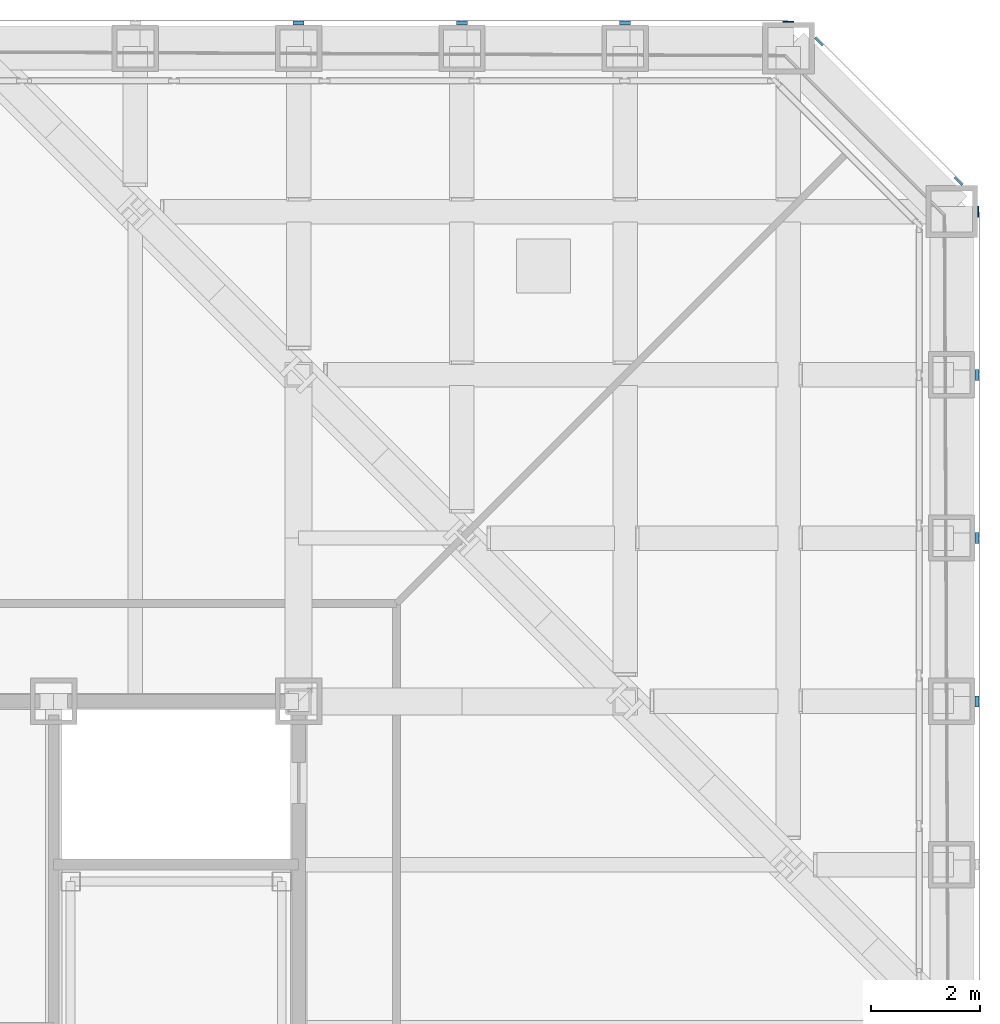
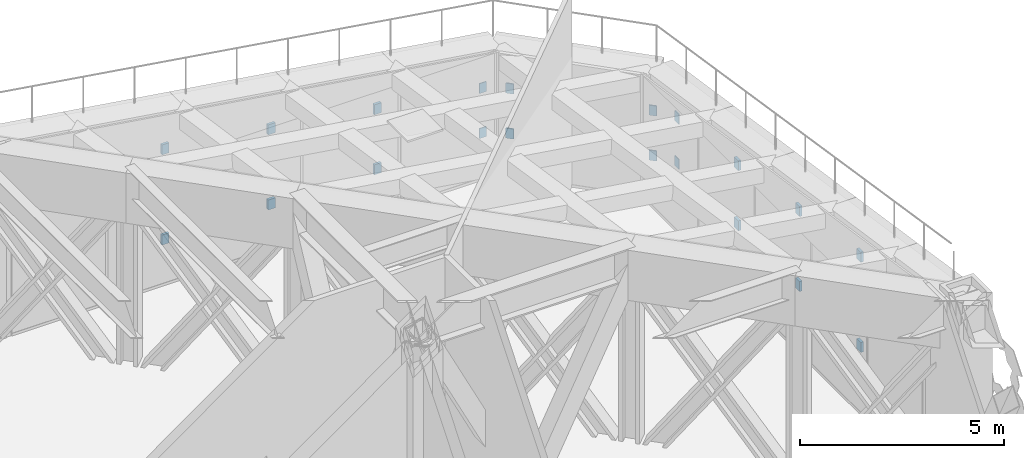
# One storey, part 20 of 31: 20 discrete accessories.
"""IFC4 building model written with IfcOpenShell, lengths in metres."""

from ifc_helpers import new_model, si_unit, direction, frame, origin, origin_2d, place, context, subcontext, project, spatial, rectangle, extrude, material, type_object, element, save


model = new_model("IFC4")

# Units and contexts
model_context = context("Model", 3, precision=1e-05, world=origin(), true_north=direction((0.0, 1.0)))
body_context = subcontext(model_context, "Body", "Model", "MODEL_VIEW")
ifc_project = project(units=[si_unit("LENGTHUNIT", "METRE"), si_unit("AREAUNIT", "SQUARE_METRE"), si_unit("VOLUMEUNIT", "CUBIC_METRE"), si_unit("PLANEANGLEUNIT", "RADIAN"), si_unit("MASSUNIT", "GRAM", prefix="KILO")], contexts=[model_context])

# Site, building, storey
site_placement = place(None, origin())
site = spatial("IfcSite", under=ifc_project, at=site_placement, CompositionType="ELEMENT")
building_placement = place(site_placement, origin())
building = spatial("IfcBuilding", under=site, at=building_placement, Name="Chuquiago Exchange Tower", CompositionType="ELEMENT")
storey_placement = place(building_placement, frame((0.0, 0.0, 96.300048828125)))
storey = spatial("IfcBuildingStorey", under=building, at=storey_placement, Name="L20", CompositionType="ELEMENT", Elevation=96.300048828125)

# Discrete accessories
ifc_material_1 = material(Name="Stainless steel plate bracket", Category="steel")
discrete_accessory_type_1 = type_object("IfcDiscreteAccessoryType", Name="GB4 cladding bracket 75", PredefinedType="BRACKET", material=ifc_material_1)
for number, where, z_axis, x_axis, name in (
    (1, (45.46240234375, 33.0, 0.35009765625), (0.0, 0.0, 1.0), (0.0, 1.0, 0.0), "Cladding bracket L20 E"),
    (2, (45.46240234375, 33.0, 3.04736328125), (0.0, 0.0, 1.0), (0.0, 1.0, 0.0), "Cladding bracket L20 E"),
    (3, (45.46240234375, 36.0, 0.35009765625), (0.0, 0.0, 1.0), (0.0, 1.0, 0.0), "Cladding bracket L20 E"),
    (4, (45.46240234375, 36.0, 2.59619140625), (0.0, 0.0, 1.0), (0.0, 1.0, 0.0), "Cladding bracket L20 E"),
    (5, (45.46240234375, 39.0, 0.35009765625), (0.0, 0.0, 1.0), (0.0, 1.0, 0.0), "Cladding bracket L20 E"),
    (6, (45.46240234375, 39.0, 2.1455078125), (0.0, 0.0, 1.0), (0.0, 1.0, 0.0), "Cladding bracket L20 E"),
    (7, (39.0, 45.46240234375, 0.35009765625), (0.0, 0.0, 1.0), (-1.0, 0.0, 0.0), "Cladding bracket L20 N"),
    (8, (39.0, 45.46240234375, 2.1455078125), (0.0, 0.0, 1.0), (-1.0, 0.0, 0.0), "Cladding bracket L20 N"),
    (9, (36.0, 45.46240234375, 0.35009765625), (0.0, 0.0, 1.0), (-1.0, 0.0, 0.0), "Cladding bracket L20 N"),
    (10, (36.0, 45.46240234375, 2.59619140625), (0.0, 0.0, 1.0), (-1.0, 0.0, 0.0), "Cladding bracket L20 N"),
    (11, (33.0, 45.46240234375, 0.35009765625), (0.0, 0.0, 1.0), (-1.0, 0.0, 0.0), "Cladding bracket L20 N"),
    (12, (33.0, 45.46240234375, 3.04736328125), (0.0, 0.0, 1.0), (-1.0, 0.0, 0.0), "Cladding bracket L20 N"),
):
    element("IfcDiscreteAccessory", number, at=place(storey_placement, frame(where, z_axis=z_axis, x_axis=x_axis)), inside=storey, type_object=discrete_accessory_type_1, Name=name, PredefinedType="BRACKET", context=body_context, shape_type="SweptSolid", body=[
        extrude(rectangle(XDim=0.199951171875, YDim=0.074951171875, at=origin_2d()), origin(), (0.0, 0.0, 1.0), 0.300048828125),
    ])
ifc_material_2 = material(Name="Stainless steel plate bracket", Category="steel")
discrete_accessory_type_2 = type_object("IfcDiscreteAccessoryType", Name="GB6 cladding bracket 35", PredefinedType="BRACKET", material=ifc_material_2)
for number, where, z_axis, x_axis, name in (
    (13, (45.123779296875, 42.55810546875, 0.35009765625), (0.0, 0.0, 1.0), (-0.707106781187, 0.707106781187, 0.0), "Cladding bracket L20 NE"),
    (14, (45.123779296875, 42.55810546875, 1.6953125), (0.0, 0.0, 1.0), (-0.707106781187, 0.707106781187, 0.0), "Cladding bracket L20 NE"),
    (15, (42.55810546875, 45.123779296875, 0.35009765625), (0.0, 0.0, 1.0), (-0.707106781187, 0.707106781187, 0.0), "Cladding bracket L20 NE"),
    (16, (42.55810546875, 45.123779296875, 1.6953125), (0.0, 0.0, 1.0), (-0.707106781187, 0.707106781187, 0.0), "Cladding bracket L20 NE"),
):
    element("IfcDiscreteAccessory", number, at=place(storey_placement, frame(where, z_axis=z_axis, x_axis=x_axis)), inside=storey, type_object=discrete_accessory_type_2, Name=name, PredefinedType="BRACKET", context=body_context, shape_type="SweptSolid", body=[
        extrude(rectangle(XDim=0.199951171875, YDim=0.035400390625, at=origin_2d()), origin(), (0.0, 0.0, 1.0), 0.300048828125),
    ])
ifc_material_3 = material(Name="Stainless steel plate bracket", Category="steel")
discrete_accessory_type_3 = type_object("IfcDiscreteAccessoryType", Name="GB7 cladding bracket 25", PredefinedType="BRACKET", material=ifc_material_3)
for number, where, z_axis, x_axis, name in (
    (17, (45.487548828125, 42.0, 0.35009765625), (0.0, 0.0, 1.0), (0.0, 1.0, 0.0), "Cladding bracket L20 E"),
    (18, (45.487548828125, 42.0, 1.6962890625), (0.0, 0.0, 1.0), (0.0, 1.0, 0.0), "Cladding bracket L20 E"),
    (19, (42.0, 45.487548828125, 0.35009765625), (0.0, 0.0, 1.0), (-1.0, 0.0, 0.0), "Cladding bracket L20 N"),
    (20, (42.0, 45.487548828125, 1.6962890625), (0.0, 0.0, 1.0), (-1.0, 0.0, 0.0), "Cladding bracket L20 N"),
):
    element("IfcDiscreteAccessory", number, at=place(storey_placement, frame(where, z_axis=z_axis, x_axis=x_axis)), inside=storey, type_object=discrete_accessory_type_3, Name=name, PredefinedType="BRACKET", context=body_context, shape_type="SweptSolid", body=[
        extrude(rectangle(XDim=0.199951171875, YDim=0.02490234375, at=origin_2d()), origin(), (0.0, 0.0, 1.0), 0.300048828125),
    ])

save(model, "model.ifc")
